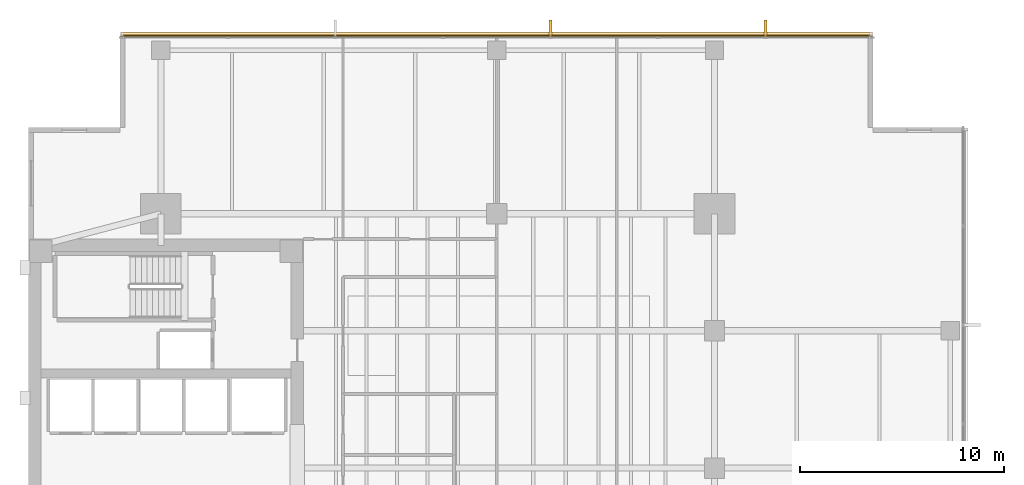
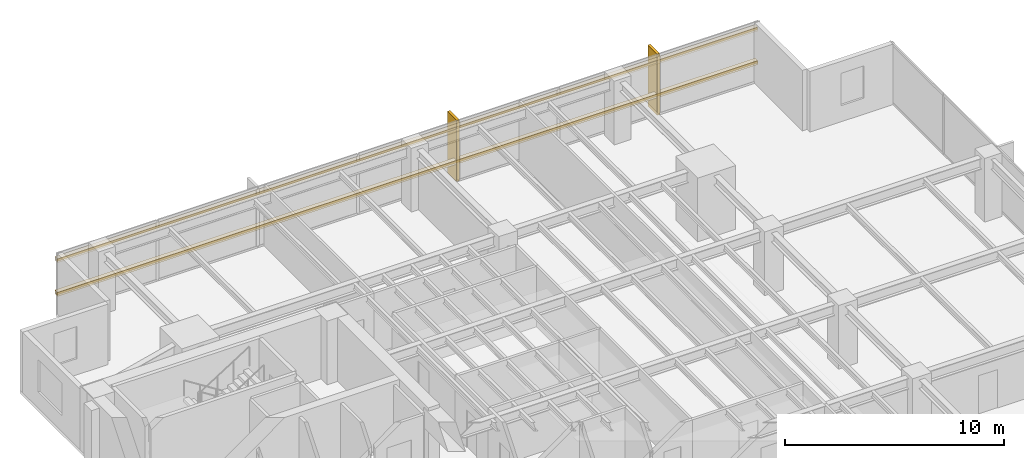
# One storey, part 14 of 14: 4 coverings, 2 shading devices.
"""IFC4 building model written with IfcOpenShell, lengths in metres."""

from ifc_helpers import new_model, si_unit, direction, frame, origin, origin_2d, place, context, subcontext, project, spatial, polyline, rectangle, outline, extrude, material, layer, layer_set, material_profile, profile_set, type_object, element, save


model = new_model("IFC4")

# Units and contexts
model_context = context("Model", 3, precision=1e-05, world=origin(), true_north=direction((0.0, 1.0)))
body_context = subcontext(model_context, "Body", "Model", "MODEL_VIEW")
ifc_project = project(units=[si_unit("LENGTHUNIT", "METRE"), si_unit("AREAUNIT", "SQUARE_METRE"), si_unit("VOLUMEUNIT", "CUBIC_METRE"), si_unit("PLANEANGLEUNIT", "RADIAN"), si_unit("MASSUNIT", "GRAM", prefix="KILO")], contexts=[model_context])

# Site, building, storey
site_placement = place(None, origin())
site = spatial("IfcSite", under=ifc_project, at=site_placement, CompositionType="ELEMENT")
building_placement = place(site_placement, origin())
building = spatial("IfcBuilding", under=site, at=building_placement, Name="Kinhvarn Gate Tower", CompositionType="ELEMENT")
storey_placement = place(building_placement, frame((0.0, 0.0, 137.75)))
storey = spatial("IfcBuildingStorey", under=building, at=storey_placement, Name="L36", CompositionType="ELEMENT", Elevation=137.75)

# Coverings
ifc_material = material(Name="Fired architectural terracotta", Category="masonry")
ifc_layer_1 = layer(ifc_material, 0.239990234375)
ifc_layer_set_1 = layer_set([ifc_layer_1], Name="Fired architectural terracotta")
covering_type_1 = type_object("IfcCoveringType", Name="COV-BAG-220", PredefinedType="CLADDING", material=ifc_layer_set_1)
for number, where, name in (
    (1, (0.0, 0.0, 0.93994140625), "Terracotta Horizontal Sunscreen Band TBG-220 (L36)"),
    (2, (0.0, 0.0, 2.81005859375), "Terracotta Horizontal Sunscreen Band TBG-220 (L36)"),
):
    element("IfcCovering", number, at=place(storey_placement, frame(where)), inside=storey, type_object=covering_type_1, Name=name, PredefinedType="CLADDING", context=body_context, shape_type="SweptSolid", body=[
        extrude(outline(polyline([(45.9599609375, 46.429931640625), (9.0400390625, 46.429931640625), (9.0400390625, 46.669921875), (45.9599609375, 46.669921875), (45.9599609375, 46.429931640625)])), origin(), (0.0, 0.0, 1.0), 0.219970703125),
    ])
ifc_layer_2 = layer(ifc_material, 0.139892578125)
ifc_layer_set_2 = layer_set([ifc_layer_2], Name="Fired architectural terracotta")
covering_type_2 = type_object("IfcCoveringType", Name="COV-FIN-850", PredefinedType="CLADDING", material=ifc_layer_set_2)
covering_1_placement = place(storey_placement, frame((0.0, 0.0, -0.02001953125)))
element("IfcCovering", 3, at=covering_1_placement, inside=storey, type_object=covering_type_2, Name="Vertical Terracotta Expressive Fin TFN-850 (L36)", PredefinedType="CLADDING", context=body_context, shape_type="SweptSolid", body=[
    extrude(outline(polyline([(40.7841796875, 46.419921875), (40.644287109375, 46.419921875), (40.644287109375, 47.27001953125), (40.7841796875, 47.27001953125), (40.7841796875, 46.419921875)])), origin(), (0.0, 0.0, 1.0), 3.409912109375),
])
covering_2_placement = place(storey_placement, frame((0.0, 0.0, -0.02001953125)))
element("IfcCovering", 4, at=covering_2_placement, inside=storey, type_object=covering_type_2, Name="Vertical Terracotta Expressive Fin TFN-850 (L36)", PredefinedType="CLADDING", context=body_context, shape_type="SweptSolid", body=[
    extrude(outline(polyline([(30.212890625, 46.419921875), (30.072998046875, 46.419921875), (30.072998046875, 47.27001953125), (30.212890625, 47.27001953125), (30.212890625, 46.419921875)])), origin(), (0.0, 0.0, 1.0), 3.409912109375),
])

# Shading devices
ifc_material_profile = material_profile(ifc_material, rectangle(XDim=0.050048828125, YDim=0.1201171875, at=origin_2d()), Name="TC 50x120")
ifc_profile_set = profile_set([ifc_material_profile], Name="Fired architectural terracotta")
shading_device_type = type_object("IfcShadingDeviceType", Name="SHD-BAG-140", PredefinedType="USERDEFINED", material=ifc_profile_set)
for number, where, z_axis, x_axis, name in (
    (5, (45.9599609375, 46.5, 1.050048828125), (-1.0, 0.0, 0.0), (0.0, -1.0, 0.0), "Upper Tower Terracotta Baguette Screen Rod 50x120 mm (L36)"),
    (6, (45.9599609375, 46.5, 2.919921875), (-1.0, 0.0, 0.0), (0.0, -1.0, 0.0), "Upper Tower Terracotta Baguette Screen Rod 50x120 mm (L36)"),
):
    element("IfcShadingDevice", number, at=place(storey_placement, frame(where, z_axis=z_axis, x_axis=x_axis)), inside=storey, type_object=shading_device_type, Name=name, ObjectType="BAGUETTE", PredefinedType="USERDEFINED", context=body_context, shape_type="SweptSolid", body=[
        extrude(rectangle(XDim=0.050048828125, YDim=0.1201171875, at=origin_2d()), origin(), (0.0, 0.0, 1.0), 36.919921875),
    ])

save(model, "model.ifc")
